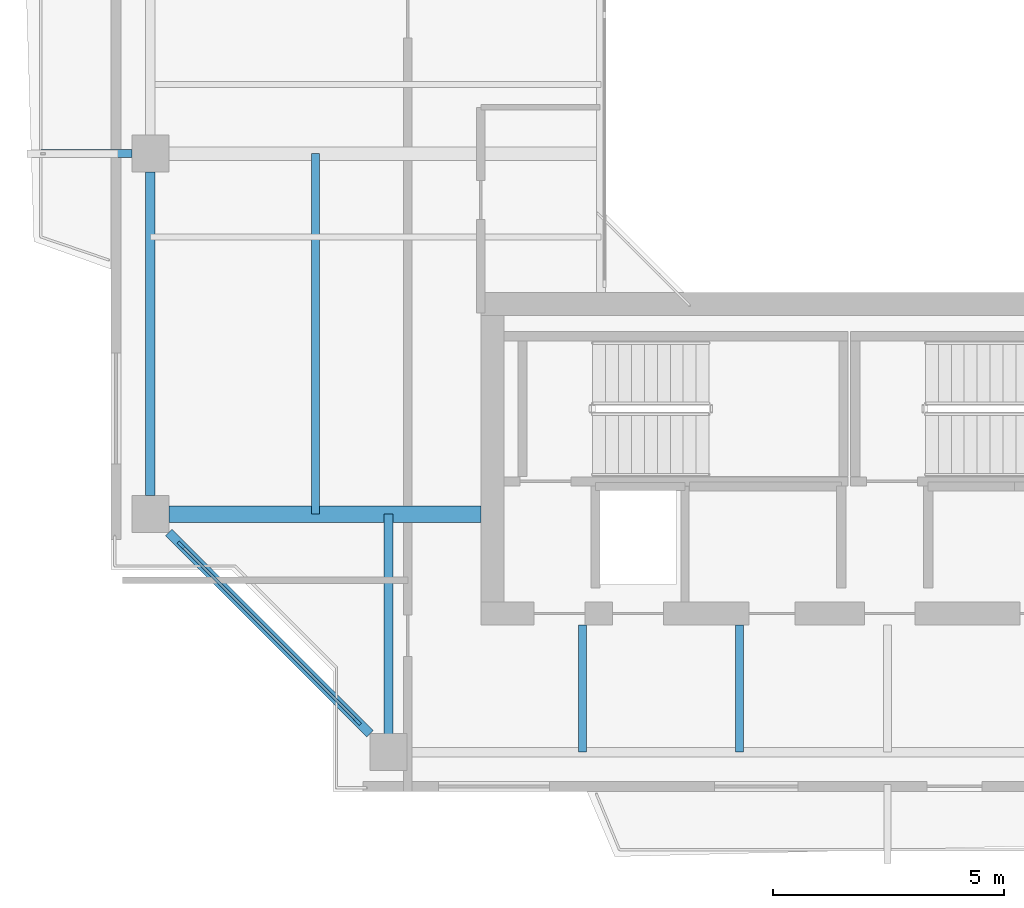
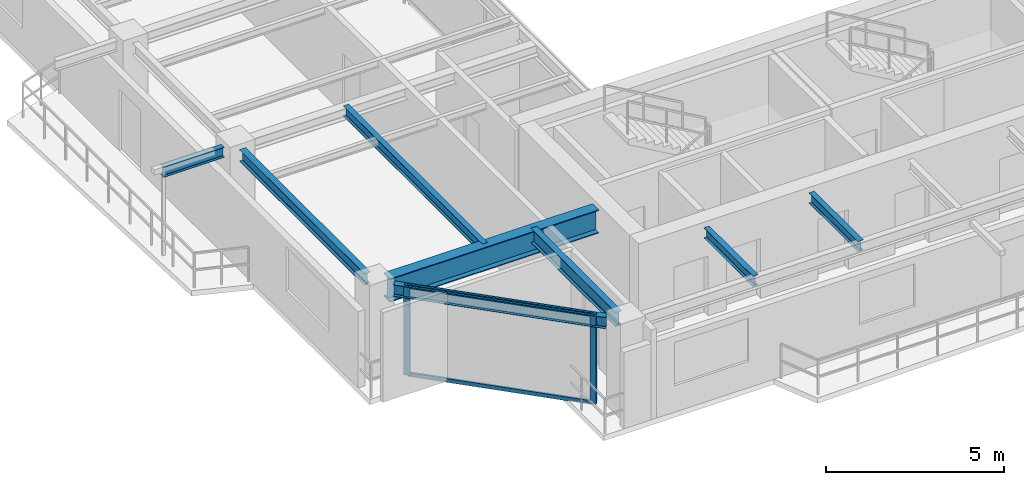
# One storey, part 2 of 15: 8 beams, 4 members, 1 element without a shape of its own.
"""IFC4 building model written with IfcOpenShell, lengths in metres."""

from ifc_helpers import new_model, si_unit, direction, frame, origin, origin_2d, place, context, subcontext, project, spatial, rectangle, i_section, extrude, source, transform, mapped, material, layer, layer_set, material_profile, profile_set, type_object, element, aggregate, save


model = new_model("IFC4")

# Units and contexts
model_context = context("Model", 3, precision=1e-05, world=origin(), true_north=direction((0.0, 1.0)))
body_context = subcontext(model_context, "Body", "Model", "MODEL_VIEW")
ifc_project = project(units=[si_unit("LENGTHUNIT", "METRE"), si_unit("AREAUNIT", "SQUARE_METRE"), si_unit("VOLUMEUNIT", "CUBIC_METRE"), si_unit("PLANEANGLEUNIT", "RADIAN"), si_unit("MASSUNIT", "GRAM", prefix="KILO"), si_unit("THERMODYNAMICTEMPERATUREUNIT", "KELVIN"), si_unit("POWERUNIT", "WATT")], contexts=[model_context])

# Site, building, storey
site_placement = place(None, origin())
site = spatial("IfcSite", under=ifc_project, at=site_placement, CompositionType="ELEMENT")
building_placement = place(site_placement, origin())
building = spatial("IfcBuilding", under=site, at=building_placement, Name="Qiaomeng Ring Towers", CompositionType="ELEMENT")
storey_placement = place(building_placement, frame((0.0, 0.0, 226.25)))
storey = spatial("IfcBuildingStorey", under=building, at=storey_placement, Name="L66", CompositionType="ELEMENT", Elevation=226.25)

# Beams
ifc_material_1 = material(Name="Steel Q355B", Category="steel")
ifc_material_profile_1 = material_profile(ifc_material_1, i_section(OverallWidth=0.198974609375, OverallDepth=0.39599609375, WebThickness=0.007080078125, FlangeThickness=0.010986328125, FilletRadius=0.01611328125, at=origin_2d()), Name="HN 396x199x7x11")
ifc_profile_set_1 = profile_set([ifc_material_profile_1], Name="Steel Q355B")
beam_type_1 = type_object("IfcBeamType", Name="STR-BM-HN396", PredefinedType="SPANDREL", material=ifc_profile_set_1)
shared_shape_1 = source(origin(), body_context, "Body", "SweptSolid", [
    extrude(i_section(OverallWidth=0.198974609375, OverallDepth=0.39599609375, WebThickness=0.007080078125, FlangeThickness=0.010986328125, FilletRadius=0.01611328125, at=origin_2d()), origin(), (0.0, 0.0, 1.0), 6.154052734375),
])
beam_1_placement = place(storey_placement, frame((3.44921875, 11.80078125, 2.8720703125), z_axis=(0.707106781187, -0.707106781187, 0.0), x_axis=(0.707106781187, 0.707106781187, 0.0)))
element("IfcBeam", 1, at=beam_1_placement, inside=storey, type_object=beam_type_1, Name="L66 beam STR-SP-L66-T1-W1-S1", PredefinedType="SPANDREL", context=body_context, shape_type="MappedRepresentation", body=[
    mapped(shared_shape_1, transform((0.0, 0.0, 0.0), x_axis=(1.0, 0.0, 0.0), y_axis=(0.0, 1.0, 0.0), z_axis=(0.0, 0.0, 1.0), scale=1.0)),
])
shared_shape_2 = source(origin(), body_context, "Body", "SweptSolid", [
    extrude(i_section(OverallWidth=0.198974609375, OverallDepth=0.39599609375, WebThickness=0.007080078125, FlangeThickness=0.010986328125, FilletRadius=0.01611328125, at=origin_2d()), origin(), (0.0, 0.0, 1.0), 7.001953125),
])
beam_2_placement = place(storey_placement, frame((3.050048828125, 19.60107421875, 2.8720703125), z_axis=(0.0, -1.0, 0.0), x_axis=(1.0, 0.0, 0.0)))
element("IfcBeam", 2, at=beam_2_placement, inside=storey, type_object=beam_type_1, Name="L66 beam STR-SP-L66-T1-W2-W1", PredefinedType="SPANDREL", context=body_context, shape_type="MappedRepresentation", body=[
    mapped(shared_shape_2, transform((0.0, 0.0, 0.0), x_axis=(1.0, 0.0, 0.0), y_axis=(0.0, 1.0, 0.0), z_axis=(0.0, 0.0, 1.0), scale=1.0)),
])
ifc_material_2 = material(Name="Steel Q390GJC", Category="steel")
ifc_material_profile_2 = material_profile(ifc_material_2, i_section(OverallWidth=0.35009765625, OverallDepth=0.800048828125, WebThickness=0.01611328125, FlangeThickness=0.028076171875, at=origin_2d()), Name="WH 800x350x16x28")
ifc_profile_set_2 = profile_set([ifc_material_profile_2], Name="Steel Q390GJC")
beam_type_2 = type_object("IfcBeamType", Name="STR-BM-WH800", PredefinedType="BEAM", material=ifc_profile_set_2)
shared_shape_3 = source(origin(), body_context, "Body", "SweptSolid", [
    extrude(i_section(OverallWidth=0.35009765625, OverallDepth=0.800048828125, WebThickness=0.01611328125, FlangeThickness=0.028076171875, at=origin_2d()), origin(), (0.0, 0.0, 1.0), 6.7509765625),
])
beam_3_placement = place(storey_placement, frame((3.448974609375, 12.199951171875, 2.669921875), z_axis=(1.0, 0.0, 0.0), x_axis=(0.0, 1.0, 0.0)))
element("IfcBeam", 3, at=beam_3_placement, inside=storey, type_object=beam_type_2, Name="L66 beam STR-BM-L66-T1-RAD-W1", PredefinedType="BEAM", context=body_context, shape_type="MappedRepresentation", body=[
    mapped(shared_shape_3, transform((0.0, 0.0, 0.0), x_axis=(1.0, 0.0, 0.0), y_axis=(0.0, 1.0, 0.0), z_axis=(0.0, 0.0, 1.0), scale=1.0)),
])
ifc_material_profile_3 = material_profile(ifc_material_1, i_section(OverallWidth=0.175048828125, OverallDepth=0.35009765625, WebThickness=0.007080078125, FlangeThickness=0.010986328125, FilletRadius=0.013916015625, at=origin_2d()), Name="HN 350x175x7x11")
ifc_profile_set_3 = profile_set([ifc_material_profile_3], Name="Steel Q355B")
beam_type_3 = type_object("IfcBeamType", Name="STR-BM-HN350", PredefinedType="JOIST", material=ifc_profile_set_3)
shared_shape_4 = source(origin(), body_context, "Body", "SweptSolid", [
    extrude(i_section(OverallWidth=0.175048828125, OverallDepth=0.35009765625, WebThickness=0.007080078125, FlangeThickness=0.010986328125, FilletRadius=0.013916015625, at=origin_2d()), origin(), (0.0, 0.0, 1.0), 1.970947265625),
])
beam_4_placement = place(storey_placement, frame((0.679931640625, 20.0, 2.89501953125), z_axis=(1.0, 0.0, 0.0), x_axis=(0.0, 1.0, 0.0)))
element("IfcBeam", 4, at=beam_4_placement, inside=storey, type_object=beam_type_3, Name="L66 beam STR-BALBM-L66-W2", PredefinedType="JOIST", context=body_context, shape_type="MappedRepresentation", body=[
    mapped(shared_shape_4, transform((0.0, 0.0, 0.0), x_axis=(1.0, 0.0, 0.0), y_axis=(0.0, 1.0, 0.0), z_axis=(0.0, 0.0, 1.0), scale=1.0)),
])
shared_shape_5 = source(origin(), body_context, "Body", "SweptSolid", [
    extrude(i_section(OverallWidth=0.175048828125, OverallDepth=0.35009765625, WebThickness=0.007080078125, FlangeThickness=0.010986328125, FilletRadius=0.013916015625, at=origin_2d()), origin(), (0.0, 0.0, 1.0), 2.75),
])
for number, where, z_axis, x_axis, name in (
    (5, (12.39990234375, 7.050048828125, 2.89501953125), (0.0, 1.0, 0.0), (-1.0, 0.0, 0.0), "L66 beam STR-JST-L66-T1S-1"),
    (6, (15.800048828125, 7.050048828125, 2.89501953125), (0.0, 1.0, 0.0), (-1.0, 0.0, 0.0), "L66 beam STR-JST-L66-T1S-2"),
):
    element("IfcBeam", number, at=place(storey_placement, frame(where, z_axis=z_axis, x_axis=x_axis)), inside=storey, type_object=beam_type_3, Name=name, PredefinedType="JOIST", context=body_context, shape_type="MappedRepresentation", body=[
        mapped(shared_shape_5, transform((0.0, 0.0, 0.0), x_axis=(1.0, 0.0, 0.0), y_axis=(0.0, 1.0, 0.0), z_axis=(0.0, 0.0, 1.0), scale=1.0)),
    ])
shared_shape_6 = source(origin(), body_context, "Body", "SweptSolid", [
    extrude(i_section(OverallWidth=0.175048828125, OverallDepth=0.35009765625, WebThickness=0.007080078125, FlangeThickness=0.010986328125, FilletRadius=0.013916015625, at=origin_2d()), origin(), (0.0, 0.0, 1.0), 7.800048828125),
])
beam_5_placement = place(storey_placement, frame((6.625, 12.199951171875, 2.89501953125), z_axis=(0.0, 1.0, 0.0), x_axis=(-1.0, 0.0, 0.0)))
element("IfcBeam", 7, at=beam_5_placement, inside=storey, type_object=beam_type_3, Name="L66 beam STR-JST-L66-T1C-WS", PredefinedType="JOIST", context=body_context, shape_type="MappedRepresentation", body=[
    mapped(shared_shape_6, transform((0.0, 0.0, 0.0), x_axis=(1.0, 0.0, 0.0), y_axis=(0.0, 1.0, 0.0), z_axis=(0.0, 0.0, 1.0), scale=1.0)),
])
ifc_material_profile_4 = material_profile(ifc_material_1, i_section(OverallWidth=0.198974609375, OverallDepth=0.49609375, WebThickness=0.009033203125, FlangeThickness=0.013916015625, FilletRadius=0.01806640625, at=origin_2d()), Name="HN 496x199x9x14")
ifc_profile_set_4 = profile_set([ifc_material_profile_4], Name="Steel Q355B")
beam_type_4 = type_object("IfcBeamType", Name="STR-BM-HN496", PredefinedType="BEAM", material=ifc_profile_set_4)
shared_shape_7 = source(origin(), body_context, "Body", "SweptSolid", [
    extrude(i_section(OverallWidth=0.198974609375, OverallDepth=0.49609375, WebThickness=0.009033203125, FlangeThickness=0.013916015625, FilletRadius=0.01806640625, at=origin_2d()), origin(), (0.0, 0.0, 1.0), 4.7509765625),
])
beam_6_placement = place(storey_placement, frame((8.199951171875, 7.448974609375, 2.822021484375), z_axis=(0.0, 1.0, 0.0), x_axis=(-1.0, 0.0, 0.0)))
element("IfcBeam", 8, at=beam_6_placement, inside=storey, type_object=beam_type_4, Name="L66 beam STR-BM-L66-T1-RAD-S1", PredefinedType="BEAM", context=body_context, shape_type="MappedRepresentation", body=[
    mapped(shared_shape_7, transform((0.0, 0.0, 0.0), x_axis=(1.0, 0.0, 0.0), y_axis=(0.0, 1.0, 0.0), z_axis=(0.0, 0.0, 1.0), scale=1.0)),
])

# Curtain wall, members
ifc_material_3 = material(Name="Fluorocarbon dark-grey aluminium", Category="aluminium")
ifc_layer = layer(ifc_material_3, 0.14990234375, Name="Fluorocarbon dark-grey aluminium")
ifc_layer_set = layer_set([ifc_layer], Name="Fluorocarbon dark-grey aluminium")
curtain_wall_type = type_object("IfcCurtainWallType", Name="ARC-CW-3", PredefinedType="NOTDEFINED", material=ifc_layer_set)
curtain_wall_placement = place(storey_placement, origin())
curtain_wall = element("IfcCurtainWall", 9, at=curtain_wall_placement, inside=storey, type_object=curtain_wall_type, Name="L66 Curtain Wall CW3", PredefinedType="NOTDEFINED")
ifc_material_profile_5 = material_profile(ifc_material_3, rectangle(XDim=0.070068359375, YDim=0.179931640625, at=origin_2d()), Name="ALU MULL 70x180")
ifc_profile_set_5 = profile_set([ifc_material_profile_5], Name="Fluorocarbon dark-grey aluminium")
member_type_1 = type_object("IfcMemberType", Name="ARC-CWM-160", PredefinedType="MULLION", material=ifc_profile_set_5)
shared_shape_8 = source(origin(), body_context, "Body", "SweptSolid", [
    extrude(rectangle(XDim=0.070068359375, YDim=0.179931640625, at=origin_2d()), origin(), (0.0, 0.0, 1.0), 3.070068359375),
])
member_1_placement = place(storey_placement, frame((3.71484375, 11.53515625, 0.0), z_axis=(0.0, 0.0, 1.0), x_axis=(0.707106781187, 0.707106781187, 0.0)))
member_1 = element("IfcMember", 10, at=member_1_placement, type_object=member_type_1, Name="CW3 mullion 1", PredefinedType="MULLION", context=body_context, shape_type="MappedRepresentation", body=[
    mapped(shared_shape_8, transform((0.0, 0.0, 0.0), x_axis=(1.0, 0.0, 0.0), y_axis=(0.0, 1.0, 0.0), z_axis=(0.0, 0.0, 1.0), scale=1.0)),
])
member_2_placement = place(storey_placement, frame((7.53515625, 7.71484375, 0.0), z_axis=(0.0, 0.0, 1.0), x_axis=(0.707106781187, 0.707106781187, 0.0)))
member_2 = element("IfcMember", 11, at=member_2_placement, type_object=member_type_1, Name="CW3 mullion 2", PredefinedType="MULLION", context=body_context, shape_type="MappedRepresentation", body=[
    mapped(shared_shape_8, transform((0.0, 0.0, 0.0), x_axis=(1.0, 0.0, 0.0), y_axis=(0.0, 1.0, 0.0), z_axis=(0.0, 0.0, 1.0), scale=1.0)),
])
ifc_material_profile_6 = material_profile(ifc_material_3, rectangle(XDim=0.06494140625, YDim=0.1298828125, at=origin_2d()), Name="ALU TRAN 65x130")
ifc_profile_set_6 = profile_set([ifc_material_profile_6], Name="Fluorocarbon dark-grey aluminium")
member_type_2 = type_object("IfcMemberType", Name="ARC-CWT-120", PredefinedType="USERDEFINED", material=ifc_profile_set_6)
shared_shape_9 = source(origin(), body_context, "Body", "SweptSolid", [
    extrude(rectangle(XDim=0.06494140625, YDim=0.1298828125, at=origin_2d()), origin(), (0.0, 0.0, 1.0), 5.3330078125),
])
member_3_placement = place(storey_placement, frame((3.739501953125, 11.510498046875, 0.032470703125), z_axis=(0.707106781187, -0.707106781187, 0.0), x_axis=(0.707106781187, 0.707106781187, 0.0)))
member_3 = element("IfcMember", 12, at=member_3_placement, type_object=member_type_2, Name="CW3 transom 1.1", ObjectType="TRANSOM", PredefinedType="USERDEFINED", context=body_context, shape_type="MappedRepresentation", body=[
    mapped(shared_shape_9, transform((0.0, 0.0, 0.0), x_axis=(1.0, 0.0, 0.0), y_axis=(0.0, 1.0, 0.0), z_axis=(0.0, 0.0, 1.0), scale=1.0)),
])
member_4_placement = place(storey_placement, frame((3.739501953125, 11.510498046875, 3.03759765625), z_axis=(0.707106781187, -0.707106781187, 0.0), x_axis=(0.707106781187, 0.707106781187, 0.0)))
member_4 = element("IfcMember", 13, at=member_4_placement, type_object=member_type_2, Name="CW3 transom 1.2", ObjectType="TRANSOM", PredefinedType="USERDEFINED", context=body_context, shape_type="MappedRepresentation", body=[
    mapped(shared_shape_9, transform((0.0, 0.0, 0.0), x_axis=(1.0, 0.0, 0.0), y_axis=(0.0, 1.0, 0.0), z_axis=(0.0, 0.0, 1.0), scale=1.0)),
])
aggregate(curtain_wall, [member_1, member_2, member_3, member_4])

save(model, "model.ifc")
